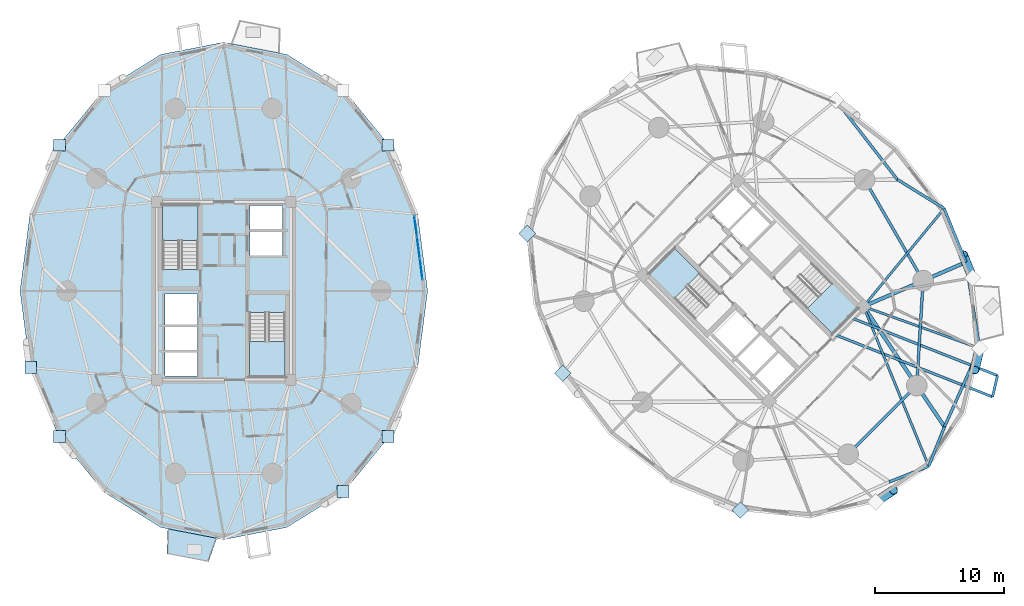
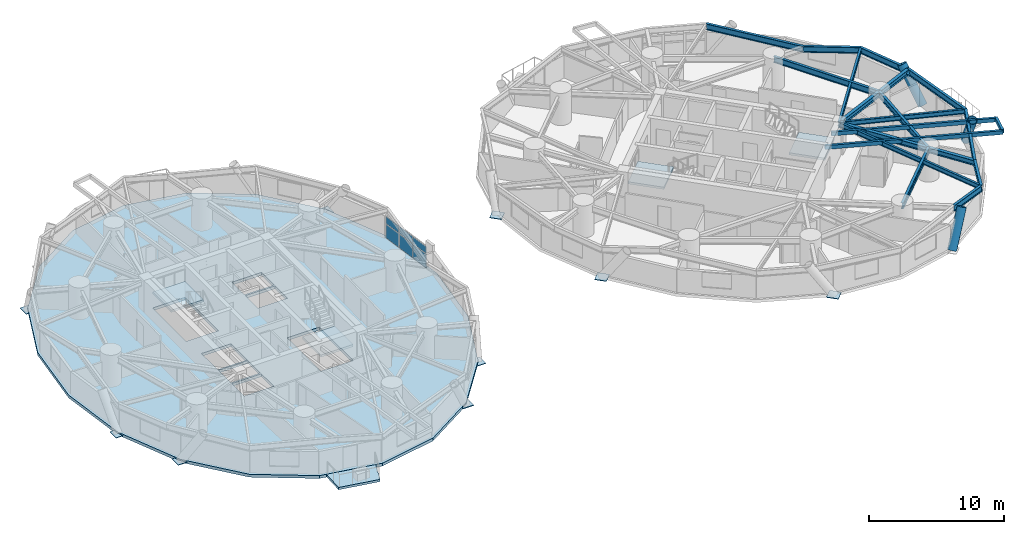
# One storey, part 8 of 19: 18 beams, 15 plates, 6 slabs, 3 members, 5 elements without a shape of their own.
"""IFC4 building model written with IfcOpenShell, lengths in metres."""

from ifc_helpers import new_model, si_unit, direction, frame, origin, origin_2d, place, context, subcontext, project, spatial, polyline, rectangle, hollow_rectangle, hollow_circle, i_section, outline, extrude, source, transform, mapped, material, layer, layer_set, material_profile, profile_set, type_object, element, aggregate, save


model = new_model("IFC4")

# Units and contexts
model_context = context("Model", 3, precision=1e-05, world=origin(), true_north=direction((0.0, 1.0)))
body_context = subcontext(model_context, "Body", "Model", "MODEL_VIEW")
ifc_project = project(units=[si_unit("LENGTHUNIT", "METRE"), si_unit("AREAUNIT", "SQUARE_METRE"), si_unit("VOLUMEUNIT", "CUBIC_METRE"), si_unit("PLANEANGLEUNIT", "RADIAN"), si_unit("MASSUNIT", "GRAM", prefix="KILO")], contexts=[model_context])

# Site, building, storey
site_placement = place(None, origin())
site = spatial("IfcSite", under=ifc_project, at=site_placement, CompositionType="ELEMENT")
building_placement = place(site_placement, origin())
building = spatial("IfcBuilding", under=site, at=building_placement, Name="Cununo Teusaquillo Station Towers", CompositionType="ELEMENT")
storey_placement = place(building_placement, frame((0.0, 0.0, 30.72998046875)))
storey = spatial("IfcBuildingStorey", under=building, at=storey_placement, Name="L08", CompositionType="ELEMENT", Elevation=30.72998046875)

# Beams
ifc_material_1 = material(Name="Steel EN 10025-2 S355J2", Category="steel")
ifc_material_profile_1 = material_profile(ifc_material_1, hollow_rectangle(XDim=0.199951171875, YDim=0.35009765625, WallThickness=0.013916015625, at=origin_2d()), Name="RHS 350x200x14")
ifc_profile_set_1 = profile_set([ifc_material_profile_1], Name="Steel EN 10025-2 S355J2")
beam_type_1 = type_object("IfcBeamType", Name="BM-BAL-CANT", PredefinedType="BEAM", material=ifc_profile_set_1)
beam_1_placement = place(storey_placement, frame((63.5986328125, 21.194091796875, 2.47509765625), z_axis=(0.930244165178, -0.366941130364, 0.0), x_axis=(0.366941130364, 0.930244165178, 0.0)))
element("IfcBeam", 1, at=beam_1_placement, inside=storey, type_object=beam_type_1, Name="L08 Tower B Balcony Cantilever Bracket 2A", PredefinedType="BEAM", context=body_context, shape_type="SweptSolid", body=[
    extrude(hollow_rectangle(XDim=0.199951171875, YDim=0.35009765625, WallThickness=0.013916015625, at=origin_2d()), origin(), (0.0, 0.0, 1.0), 13.342041015625),
])
beam_2_placement = place(storey_placement, frame((64.889892578125, 22.4853515625, 2.47509765625), z_axis=(0.930240000393, -0.366951688467, 0.0), x_axis=(0.366951688467, 0.930240000393, 0.0)))
element("IfcBeam", 2, at=beam_2_placement, inside=storey, type_object=beam_type_1, Name="L08 Tower B Balcony Cantilever Bracket 2B", PredefinedType="BEAM", context=body_context, shape_type="SweptSolid", body=[
    extrude(hollow_rectangle(XDim=0.199951171875, YDim=0.35009765625, WallThickness=0.013916015625, at=origin_2d()), origin(), (0.0, 0.0, 1.0), 12.36767578125),
])
ifc_material_2 = material(Name="Steel ASTM A572 Grade 50", Category="steel")
ifc_material_profile_2 = material_profile(ifc_material_2, i_section(OverallWidth=0.180908203125, OverallDepth=0.4169921875, WebThickness=0.010986328125, FlangeThickness=0.018310546875, FilletRadius=0.012939453125, at=origin_2d()), Name="W16X57")
ifc_profile_set_2 = profile_set([ifc_material_profile_2], Name="Steel ASTM A572 Grade 50")
beam_type_2 = type_object("IfcBeamType", Name="BM-JOIST-1", PredefinedType="JOIST", material=ifc_profile_set_2)
beam_3_placement = place(storey_placement, frame((66.024169921875, 23.29443359375, 2.44140625), z_axis=(0.377815437796, -0.92588092915, 0.0), x_axis=(0.92588092915, 0.377815437796, 0.0)))
element("IfcBeam", 3, at=beam_3_placement, inside=storey, type_object=beam_type_2, Name="L08 Tower B Radial Spandrel Joist V15", PredefinedType="JOIST", context=body_context, shape_type="SweptSolid", body=[
    extrude(i_section(OverallWidth=0.180908203125, OverallDepth=0.4169921875, WebThickness=0.010986328125, FlangeThickness=0.018310546875, FilletRadius=0.012939453125, at=origin_2d()), origin(), (0.0, 0.0, 1.0), 13.353515625),
])
beam_4_placement = place(storey_placement, frame((66.024169921875, 23.29443359375, 2.44140625), z_axis=(0.940761914171, -0.33906787056, 0.0), x_axis=(0.33906787056, 0.940761914171, 0.0)))
element("IfcBeam", 4, at=beam_4_placement, inside=storey, type_object=beam_type_2, Name="L08 Tower B Radial Spandrel Joist V17", PredefinedType="JOIST", context=body_context, shape_type="SweptSolid", body=[
    extrude(i_section(OverallWidth=0.180908203125, OverallDepth=0.4169921875, WebThickness=0.010986328125, FlangeThickness=0.018310546875, FilletRadius=0.012939453125, at=origin_2d()), origin(), (0.0, 0.0, 1.0), 9.552734375),
])
beam_5_placement = place(storey_placement, frame((66.024169921875, 23.29443359375, 2.44140625), z_axis=(0.635389148475, 0.772192093976, 0.0), x_axis=(-0.772192093976, 0.635389148475, 0.0)))
element("IfcBeam", 5, at=beam_5_placement, inside=storey, type_object=beam_type_2, Name="L08 Tower B Radial Spandrel Joist V19", PredefinedType="JOIST", context=body_context, shape_type="SweptSolid", body=[
    extrude(i_section(OverallWidth=0.180908203125, OverallDepth=0.4169921875, WebThickness=0.010986328125, FlangeThickness=0.018310546875, FilletRadius=0.012939453125, at=origin_2d()), origin(), (0.0, 0.0, 1.0), 9.82080078125),
])
ifc_material_3 = material(Name="Steel ASTM A572 Grade 50", Category="steel")
ifc_material_profile_3 = material_profile(ifc_material_3, i_section(OverallWidth=0.280029296875, OverallDepth=0.462890625, WebThickness=0.0107421875, FlangeThickness=0.017333984375, FilletRadius=0.013916015625, at=origin_2d()), Name="W18X76")
ifc_profile_set_3 = profile_set([ifc_material_profile_3], Name="Steel ASTM A572 Grade 50")
beam_type_3 = type_object("IfcBeamType", Name="BM-RAD-G1", PredefinedType="BEAM", material=ifc_profile_set_3)
beam_6_placement = place(storey_placement, frame((66.024169921875, 23.29443359375, 2.41845703125), z_axis=(0.558565249978, -0.829460584667, 0.0), x_axis=(0.829460584667, 0.558565249978, 0.0)))
element("IfcBeam", 6, at=beam_6_placement, inside=storey, type_object=beam_type_3, Name="L08 Tower B Continuous Overhanging Radial Girder 09", PredefinedType="BEAM", context=body_context, shape_type="SweptSolid", body=[
    extrude(i_section(OverallWidth=0.280029296875, OverallDepth=0.462890625, WebThickness=0.0107421875, FlangeThickness=0.017333984375, FilletRadius=0.013916015625, at=origin_2d()), origin(), (0.0, 0.0, 1.0), 11.22119140625),
])
beam_7_placement = place(storey_placement, frame((66.024169921875, 23.29443359375, 2.41845703125), z_axis=(0.91765947108, 0.397367707718, 0.0), x_axis=(-0.397367707718, 0.91765947108, 0.0)))
element("IfcBeam", 7, at=beam_7_placement, inside=storey, type_object=beam_type_3, Name="L08 Tower B Continuous Overhanging Radial Girder 10", PredefinedType="BEAM", context=body_context, shape_type="SweptSolid", body=[
    extrude(i_section(OverallWidth=0.280029296875, OverallDepth=0.462890625, WebThickness=0.0107421875, FlangeThickness=0.017333984375, FilletRadius=0.013916015625, at=origin_2d()), origin(), (0.0, 0.0, 1.0), 8.631591796875),
])
ifc_material_4 = material(Name="Steel ASTM A572 Grade 50", Category="steel")
ifc_material_profile_4 = material_profile(ifc_material_4, i_section(OverallWidth=0.214111328125, OverallDepth=0.549072265625, WebThickness=0.0146484375, FlangeThickness=0.023681640625, FilletRadius=0.014892578125, at=origin_2d()), Name="W21X93")
ifc_profile_set_4 = profile_set([ifc_material_profile_4], Name="Steel ASTM A572 Grade 50")
beam_type_4 = type_object("IfcBeamType", Name="BM-RING-Z1", PredefinedType="SPANDREL", material=ifc_profile_set_4)
beam_8_placement = place(storey_placement, frame((64.826904296875, 11.853759765625, 2.37548828125), z_axis=(0.707106781187, 0.707106781187, 0.0), x_axis=(-0.707106781187, 0.707106781187, 0.0)))
element("IfcBeam", 8, at=beam_8_placement, inside=storey, type_object=beam_type_4, Name="L08 Tower B Structural Column Ring Girder 08", PredefinedType="SPANDREL", context=body_context, shape_type="SweptSolid", body=[
    extrude(i_section(OverallWidth=0.214111328125, OverallDepth=0.549072265625, WebThickness=0.0146484375, FlangeThickness=0.023681640625, FilletRadius=0.014892578125, at=origin_2d()), origin(), (0.0, 0.0, 1.0), 7.522705078125),
])
beam_9_placement = place(storey_placement, frame((70.146240234375, 17.173095703125, 2.37548828125), z_axis=(0.06012979176, 0.998190567048, 0.0), x_axis=(-0.998190567048, 0.06012979176, 0.0)))
element("IfcBeam", 9, at=beam_9_placement, inside=storey, type_object=beam_type_4, Name="L08 Tower B Structural Column Ring Girder 09", PredefinedType="SPANDREL", context=body_context, shape_type="SweptSolid", body=[
    extrude(i_section(OverallWidth=0.214111328125, OverallDepth=0.549072265625, WebThickness=0.0146484375, FlangeThickness=0.023681640625, FilletRadius=0.014892578125, at=origin_2d()), origin(), (0.0, 0.0, 1.0), 8.132568359375),
])
beam_10_placement = place(storey_placement, frame((70.63525390625, 25.291015625, 2.37548828125), z_axis=(-0.501311121078, 0.865267103202, 0.0), x_axis=(-0.865267103202, -0.501311121078, 0.0)))
element("IfcBeam", 10, at=beam_10_placement, inside=storey, type_object=beam_type_4, Name="L08 Tower B Structural Column Ring Girder 10", PredefinedType="SPANDREL", context=body_context, shape_type="SweptSolid", body=[
    extrude(i_section(OverallWidth=0.214111328125, OverallDepth=0.549072265625, WebThickness=0.0146484375, FlangeThickness=0.023681640625, FilletRadius=0.014892578125, at=origin_2d()), origin(), (0.0, 0.0, 1.0), 9.032958984375),
])
beam_11_placement = place(storey_placement, frame((68.635986328125, 33.12841796875, 2.37548828125), z_axis=(-0.612801480015, 0.790236892388, 0.0), x_axis=(-0.790236892388, -0.612801480015, 0.0)))
element("IfcBeam", 11, at=beam_11_placement, inside=storey, type_object=beam_type_4, Name="L08 Tower B Spandrel Ring Beam 01", PredefinedType="SPANDREL", context=body_context, shape_type="SweptSolid", body=[
    extrude(i_section(OverallWidth=0.214111328125, OverallDepth=0.549072265625, WebThickness=0.0146484375, FlangeThickness=0.023681640625, FilletRadius=0.014892578125, at=origin_2d()), origin(), (0.0, 0.0, 1.0), 7.764404296875),
])
for number, where, z_axis, x_axis, name in (
    (12, (68.01318359375, 9.7080078125, 2.37548828125), (0.928456228871, 0.371441827304, 0.0), (-0.371441827304, 0.928456228871, 0.0), "L08 Tower B Spandrel Ring Beam 15"),
    (13, (71.0693359375, 10.9306640625, 2.37548828125), (0.371441827304, 0.928456228871, 0.0), (-0.928456228871, 0.371441827304, 0.0), "L08 Tower B Spandrel Ring Beam 16"),
):
    element("IfcBeam", number, at=place(storey_placement, frame(where, z_axis=z_axis, x_axis=x_axis)), inside=storey, type_object=beam_type_4, Name=name, PredefinedType="SPANDREL", context=body_context, shape_type="SweptSolid", body=[
        extrude(i_section(OverallWidth=0.214111328125, OverallDepth=0.549072265625, WebThickness=0.0146484375, FlangeThickness=0.023681640625, FilletRadius=0.014892578125, at=origin_2d()), origin(), (0.0, 0.0, 1.0), 3.291748046875),
    ])
beam_12_placement = place(storey_placement, frame((72.2919921875, 13.98681640625, 2.37548828125), z_axis=(0.408878798951, 0.912588695836, 0.0), x_axis=(-0.912588695836, 0.408878798951, 0.0)))
element("IfcBeam", 14, at=beam_12_placement, inside=storey, type_object=beam_type_4, Name="L08 Tower B Spandrel Ring Beam 17", PredefinedType="SPANDREL", context=body_context, shape_type="SweptSolid", body=[
    extrude(i_section(OverallWidth=0.214111328125, OverallDepth=0.549072265625, WebThickness=0.0146484375, FlangeThickness=0.023681640625, FilletRadius=0.014892578125, at=origin_2d()), origin(), (0.0, 0.0, 1.0), 6.64990234375),
])
beam_13_placement = place(storey_placement, frame((75.010986328125, 20.055419921875, 2.37548828125), z_axis=(-0.157829770834, 0.987466335344, 0.0), x_axis=(-0.987466335344, -0.157829770834, 0.0)))
element("IfcBeam", 15, at=beam_13_placement, inside=storey, type_object=beam_type_4, Name="L08 Tower B Spandrel Ring Beam 18", PredefinedType="SPANDREL", context=body_context, shape_type="SweptSolid", body=[
    extrude(i_section(OverallWidth=0.214111328125, OverallDepth=0.549072265625, WebThickness=0.0146484375, FlangeThickness=0.023681640625, FilletRadius=0.014892578125, at=origin_2d()), origin(), (0.0, 0.0, 1.0), 6.753662109375),
])
beam_14_placement = place(storey_placement, frame((73.945068359375, 26.724365234375, 2.37548828125), z_axis=(-0.375135909025, 0.926969821386, 0.0), x_axis=(-0.926969821386, -0.375135909025, 0.0)))
element("IfcBeam", 16, at=beam_14_placement, inside=storey, type_object=beam_type_4, Name="L08 Tower B Spandrel Ring Beam 19", PredefinedType="SPANDREL", context=body_context, shape_type="SweptSolid", body=[
    extrude(i_section(OverallWidth=0.214111328125, OverallDepth=0.549072265625, WebThickness=0.0146484375, FlangeThickness=0.023681640625, FilletRadius=0.014892578125, at=origin_2d()), origin(), (0.0, 0.0, 1.0), 4.480712890625),
])
beam_15_placement = place(storey_placement, frame((72.26416015625, 30.8779296875, 2.37548828125), z_axis=(-0.849795627585, 0.527112313779, 0.0), x_axis=(-0.527112313779, -0.849795627585, 0.0)))
element("IfcBeam", 17, at=beam_15_placement, inside=storey, type_object=beam_type_4, Name="L08 Tower B Spandrel Ring Beam 20", PredefinedType="SPANDREL", context=body_context, shape_type="SweptSolid", body=[
    extrude(i_section(OverallWidth=0.214111328125, OverallDepth=0.549072265625, WebThickness=0.0146484375, FlangeThickness=0.023681640625, FilletRadius=0.014892578125, at=origin_2d()), origin(), (0.0, 0.0, 1.0), 4.26953125),
])
ifc_material_5 = material(Name="Steel EN 10025-2 S355J2", Category="steel")
ifc_material_profile_5 = material_profile(ifc_material_5, hollow_rectangle(XDim=0.199951171875, YDim=0.35009765625, WallThickness=0.013916015625, at=origin_2d()), Name="RHS 350x200x14")
ifc_profile_set_5 = profile_set([ifc_material_profile_5], Name="Steel EN 10025-2 S355J2")
beam_type_5 = type_object("IfcBeamType", Name="BM-STAIR-TRIM", PredefinedType="BEAM", material=ifc_profile_set_5)
beam_16_placement = place(storey_placement, frame((76.010009765625, 16.29833984375, 2.52490234375), z_axis=(0.227270643814, 0.973831635582, 0.0), x_axis=(-0.973831635582, 0.227270643814, 0.0)))
element("IfcBeam", 18, at=beam_16_placement, inside=storey, type_object=beam_type_5, Name="L08 Tower B Balcony Edge Trimmer Beam 2", PredefinedType="BEAM", context=body_context, shape_type="SweptSolid", body=[
    extrude(hollow_rectangle(XDim=0.199951171875, YDim=0.35009765625, WallThickness=0.013916015625, at=origin_2d()), origin(), (0.0, 0.0, 1.0), 1.69287109375),
])

# Members
ifc_material_6 = material(Name="Steel EN 10025-2 S355J2", Category="steel")
ifc_material_profile_6 = material_profile(ifc_material_6, hollow_circle(Radius=0.360107421875, WallThickness=0.028076171875, at=origin_2d()), Name="CHS 720x28")
ifc_profile_set_6 = profile_set([ifc_material_profile_6], Name="Steel EN 10025-2 S355J2")
member_type = type_object("IfcMemberType", Name="MBR-DIAG-Z1", PredefinedType="BRACE", material=ifc_profile_set_6)
member_1_placement = place(storey_placement, frame((66.970703125, 8.159912109375, -0.139892578125), z_axis=(0.408468387245, 0.276132221041, 0.870002628229), x_axis=(-0.560052437376, 0.828457160866, 0.0)))
element("IfcMember", 19, at=member_1_placement, inside=storey, type_object=member_type, Name="L08 Tower B Folded-Zigzag Diagrid Tube C14", PredefinedType="BRACE", context=body_context, shape_type="SweptSolid", body=[
    extrude(hollow_circle(Radius=0.360107421875, WallThickness=0.028076171875, at=origin_2d()), origin(), (0.0, 0.0, 1.0), 3.3447265625),
])
member_2_placement = place(storey_placement, frame((75.010986328125, 20.055419921875, -0.139892578125), z_axis=(-0.115486215866, -0.495601259082, 0.860838153163), x_axis=(0.97390816807, -0.226942460033, 0.0)))
element("IfcMember", 20, at=member_2_placement, inside=storey, type_object=member_type, Name="L08 Tower B Folded-Zigzag Diagrid Tube C16", PredefinedType="BRACE", context=body_context, shape_type="SweptSolid", body=[
    extrude(hollow_circle(Radius=0.360107421875, WallThickness=0.028076171875, at=origin_2d()), origin(), (0.0, 0.0, 1.0), 3.38037109375),
])
member_3_placement = place(storey_placement, frame((74.468017578125, 25.516357421875, -0.139892578125), z_axis=(-0.210312111022, 0.51162667088, 0.833070804675), x_axis=(-0.924905593279, -0.380196848385, 0.0)))
element("IfcMember", 21, at=member_3_placement, inside=storey, type_object=member_type, Name="L08 Tower B Folded-Zigzag Diagrid Tube C18", PredefinedType="BRACE", context=body_context, shape_type="SweptSolid", body=[
    extrude(hollow_circle(Radius=0.360107421875, WallThickness=0.028076171875, at=origin_2d()), origin(), (0.0, 0.0, 1.0), 3.492919921875),
])

# Slab
ifc_material_7 = material(Name="Concrete C50/60", Category="concrete")
ifc_layer_1 = layer(ifc_material_7, 0.2099609375)
ifc_layer_set_1 = layer_set([ifc_layer_1], Name="Concrete C50/60")
slab_type_1 = type_object("IfcSlabType", Name="SLB-BAL-210", PredefinedType="FLOOR", material=ifc_layer_set_1)
slab_1_placement = place(storey_placement, frame((0.0, 0.0, -0.2099609375)))
element("IfcSlab", 22, at=slab_1_placement, inside=storey, type_object=slab_type_1, Name="L08 Tower A Tree Balcony Slab 2", PredefinedType="FLOOR", context=body_context, shape_type="SweptSolid", body=[
    extrude(outline(polyline([(12.1630859375, 6.0830078125), (15.958984375, 5.349365234375), (15.30126953125, 3.526123046875), (12.09423828125, 4.145751953125), (12.1630859375, 6.0830078125)])), origin(), (0.0, 0.0, 1.0), 0.2099609375),
])

# Stair, slab
ifc_material_8 = material(Name="Concrete C50/60", Category="concrete")
stair_type = type_object("IfcStairType", Name="ST-TWR-1300", PredefinedType="HALF_TURN_STAIR", material=ifc_material_8)
stair_1_placement = place(storey_placement, origin())
stair_1 = element("IfcStair", 23, at=stair_1_placement, inside=storey, type_object=stair_type, Name="L08 Tower A Protected Core Exit Stair 1", PredefinedType="HALF_TURN_STAIR")
ifc_material_9 = material(Name="Concrete C50/60", Category="concrete")
ifc_layer_2 = layer(ifc_material_9, 0.199951171875)
ifc_layer_set_2 = layer_set([ifc_layer_2], Name="Concrete C50/60")
slab_type_2 = type_object("IfcSlabType", Name="SLB-STAIR-LND", PredefinedType="LANDING", material=ifc_layer_set_2)
slab_2_placement = place(storey_placement, frame((0.0, 0.0, 1.255126953125)))
slab_2 = element("IfcSlab", 24, at=slab_2_placement, type_object=slab_type_2, Name="ST-T1-1 landing 1", PredefinedType="LANDING", context=body_context, shape_type="SweptSolid", body=[
    extrude(outline(polyline([(14.52001953125, 28.409912109375), (14.52001953125, 31.159912109375), (11.760009765625, 31.159912109375), (11.760009765625, 28.409912109375), (14.52001953125, 28.409912109375)])), origin(), (0.0, 0.0, 1.0), 0.199951171875),
])
aggregate(stair_1, [slab_2])

stair_2_placement = place(storey_placement, origin())
stair_2 = element("IfcStair", 25, at=stair_2_placement, inside=storey, type_object=stair_type, Name="L08 Tower A Protected Core Exit Stair 2", PredefinedType="HALF_TURN_STAIR")
slab_3_placement = place(storey_placement, frame((0.0, 0.0, 1.255126953125)))
slab_3 = element("IfcSlab", 26, at=slab_3_placement, type_object=slab_type_2, Name="ST-T1-2 landing 1", PredefinedType="LANDING", context=body_context, shape_type="SweptSolid", body=[
    extrude(outline(polyline([(18.47998046875, 20.590087890625), (18.47998046875, 17.840087890625), (21.239990234375, 17.840087890625), (21.239990234375, 20.590087890625), (18.47998046875, 20.590087890625)])), origin(), (0.0, 0.0, 1.0), 0.199951171875),
])
aggregate(stair_2, [slab_3])

stair_3_placement = place(storey_placement, origin())
stair_3 = element("IfcStair", 27, at=stair_3_placement, inside=storey, type_object=stair_type, Name="L08 Tower B Protected Core Exit Stair 1", PredefinedType="HALF_TURN_STAIR")
slab_4_placement = place(storey_placement, frame((0.0, 0.0, 1.255126953125)))
slab_4 = element("IfcSlab", 28, at=slab_4_placement, type_object=slab_type_2, Name="ST-T2-1 landing 1", PredefinedType="LANDING", context=body_context, shape_type="SweptSolid", body=[
    extrude(outline(polyline([(53.335205078125, 25.86474609375), (51.390625, 27.809326171875), (49.43896484375, 25.857666015625), (51.383544921875, 23.9130859375), (53.335205078125, 25.86474609375)])), origin(), (0.0, 0.0, 1.0), 0.199951171875),
])
aggregate(stair_3, [slab_4])

stair_4_placement = place(storey_placement, origin())
stair_4 = element("IfcStair", 29, at=stair_4_placement, inside=storey, type_object=stair_type, Name="L08 Tower B Protected Core Exit Stair 2", PredefinedType="HALF_TURN_STAIR")
slab_5_placement = place(storey_placement, frame((0.0, 0.0, 1.255126953125)))
slab_5 = element("IfcSlab", 30, at=slab_5_placement, type_object=slab_type_2, Name="ST-T2-2 landing 1", PredefinedType="LANDING", context=body_context, shape_type="SweptSolid", body=[
    extrude(outline(polyline([(61.664794921875, 23.13525390625), (63.609375, 21.190673828125), (65.56103515625, 23.142333984375), (63.616455078125, 25.0869140625), (61.664794921875, 23.13525390625)])), origin(), (0.0, 0.0, 1.0), 0.199951171875),
])
aggregate(stair_4, [slab_5])

# Slab
ifc_material_10 = material(Name="Concrete C50/60", Category="concrete")
ifc_layer_3 = layer(ifc_material_10, 0.260009765625)
ifc_layer_set_3 = layer_set([ifc_layer_3], Name="Concrete C50/60")
slab_type_3 = type_object("IfcSlabType", Name="SLB-Z1-260", PredefinedType="FLOOR", material=ifc_layer_set_3)
slab_6_placement = place(storey_placement, frame((0.0, 0.0, -0.260009765625)))
element("IfcSlab", 31, at=slab_6_placement, inside=storey, type_object=slab_type_3, Name="L08 Tower A Floor Slab", PredefinedType="FLOOR", context=body_context, shape_type="SweptSolid", body=[
    extrude(outline(polyline([(32.279052734375, 24.5), (31.506591796875, 30.448486328125), (29.265380859375, 35.81494140625), (25.774658203125, 40.073486328125), (21.3759765625, 42.807861328125), (16.5, 43.75), (11.6240234375, 42.807861328125), (7.225341796875, 40.073486328125), (3.734619140625, 35.81494140625), (1.493408203125, 30.448486328125), (0.720947265625, 24.5), (1.493408203125, 18.551513671875), (3.734619140625, 13.18505859375), (7.225341796875, 8.926513671875), (11.6240234375, 6.192138671875), (16.5, 5.25), (21.3759765625, 6.192138671875), (25.774658203125, 8.926513671875), (29.265380859375, 13.18505859375), (31.506591796875, 18.551513671875), (32.279052734375, 24.5)]), holes=[polyline([(14.52001953125, 26.176025390625), (14.52001953125, 31.159912109375), (11.760009765625, 31.159912109375), (11.760009765625, 26.176025390625), (14.52001953125, 26.176025390625)]), polyline([(18.47998046875, 22.823974609375), (18.47998046875, 17.840087890625), (21.239990234375, 17.840087890625), (21.239990234375, 22.823974609375), (18.47998046875, 22.823974609375)]), polyline([(11.949951171875, 21.85009765625), (14.47998046875, 21.85009765625), (14.47998046875, 24.25), (11.949951171875, 24.25), (11.949951171875, 21.85009765625)]), polyline([(11.949951171875, 17.89990234375), (14.47998046875, 17.89990234375), (14.47998046875, 19.75), (11.949951171875, 19.75), (11.949951171875, 17.89990234375)]), polyline([(11.949951171875, 19.89990234375), (14.47998046875, 19.89990234375), (14.47998046875, 21.75), (11.949951171875, 21.75), (11.949951171875, 19.89990234375)]), polyline([(18.52001953125, 27.25), (21.050048828125, 27.25), (21.050048828125, 29.10009765625), (18.52001953125, 29.10009765625), (18.52001953125, 27.25)]), polyline([(18.52001953125, 29.25), (21.050048828125, 29.25), (21.050048828125, 31.10009765625), (18.52001953125, 31.10009765625), (18.52001953125, 29.25)])]), origin(), (0.0, 0.0, 1.0), 0.260009765625),
])

# Plates
ifc_material_11 = material(Name="Steel ASTM A572 Grade 50", Category="steel")
ifc_layer_4 = layer(ifc_material_11, 0.050048828125)
ifc_layer_set_4 = layer_set([ifc_layer_4], Name="Steel ASTM A572 Grade 50")
plate_type_1 = type_object("IfcPlateType", Name="PLT-NODE-DN1", PredefinedType="USERDEFINED", material=ifc_layer_set_4)
shared_shape_1 = source(origin(), body_context, "Body", "SweptSolid", [
    extrude(rectangle(XDim=0.919921875, YDim=0.919921875, at=origin_2d()), origin(), (0.0, 0.0, 1.0), 0.050048828125),
])
for number, where, z_axis, x_axis, name in (
    (32, (29.216796875, 35.779541015625, -0.1650390625), (0.0, 0.0, 1.0), (1.0, 0.0, 0.0), "L08 Tower A Diagrid Node Assembly C01"),
    (33, (3.783203125, 35.779541015625, -0.1650390625), (0.0, 0.0, 1.0), (1.0, 0.0, 0.0), "L08 Tower A Diagrid Node Assembly C08"),
    (34, (1.55029296875, 18.570068359375, -0.1650390625), (0.0, 0.0, 1.0), (1.0, 0.0, 0.0), "L08 Tower A Diagrid Node Assembly C10"),
    (35, (3.783203125, 13.220458984375, -0.1650390625), (0.0, 0.0, 1.0), (1.0, 0.0, 0.0), "L08 Tower A Diagrid Node Assembly C12"),
    (36, (25.739501953125, 8.97509765625, -0.1650390625), (0.0, 0.0, 1.0), (1.0, 0.0, 0.0), "L08 Tower A Diagrid Node Assembly C16"),
    (37, (29.216796875, 13.220458984375, -0.1650390625), (0.0, 0.0, 1.0), (1.0, 0.0, 0.0), "L08 Tower A Diagrid Node Assembly C18"),
    (38, (39.989013671875, 28.944580078125, -0.1650390625), (0.0, 0.0, 1.0), (0.707106781187, 0.707106781187, 0.0), "L08 Tower B Diagrid Node Assembly C06"),
    (39, (42.73583984375, 18.1220703125, -0.1650390625), (0.0, 0.0, 1.0), (0.707106781187, 0.707106781187, 0.0), "L08 Tower B Diagrid Node Assembly C09"),
    (40, (56.483642578125, 7.531982421875, -0.1650390625), (0.0, 0.0, 1.0), (0.707106781187, 0.707106781187, 0.0), "L08 Tower B Diagrid Node Assembly C11"),
):
    element("IfcPlate", number, at=place(storey_placement, frame(where, z_axis=z_axis, x_axis=x_axis)), inside=storey, type_object=plate_type_1, Name=name, ObjectType="GUSSET PLATE", PredefinedType="USERDEFINED", context=body_context, shape_type="MappedRepresentation", body=[
        mapped(shared_shape_1, transform((0.0, 0.0, 0.0), x_axis=(1.0, 0.0, 0.0), y_axis=(0.0, 1.0, 0.0), z_axis=(0.0, 0.0, 1.0), scale=1.0)),
    ])

# Curtain wall, plates
ifc_material_12 = material(Name="Ceramic-fritted dark low-E double glazing", Category="glass")
ifc_layer_5 = layer(ifc_material_12, 0.179931640625)
ifc_layer_set_5 = layer_set([ifc_layer_5], Name="Ceramic-fritted dark low-E double glazing")
curtain_wall_type = type_object("IfcCurtainWallType", Name="CW-SYS-02", PredefinedType="USERDEFINED", material=ifc_layer_set_5)
curtain_wall_placement = place(storey_placement, origin())
curtain_wall = element("IfcCurtainWall", 41, at=curtain_wall_placement, inside=storey, type_object=curtain_wall_type, Name="L08 Tower A Facade Curtain Wall C00", ObjectType="FRITTED GLAZING", PredefinedType="USERDEFINED")
ifc_material_13 = material(Name="Ceramic-fritted dark low-E double glazing", Category="glass")
ifc_layer_6 = layer(ifc_material_13, 0.028076171875)
ifc_layer_set_6 = layer_set([ifc_layer_6], Name="Ceramic-fritted dark low-E double glazing")
plate_type_2 = type_object("IfcPlateType", Name="CWP-FRIT-28", PredefinedType="CURTAIN_PANEL", material=ifc_layer_set_6)
shared_shape_2 = source(origin(), body_context, "Body", "SweptSolid", [
    extrude(rectangle(XDim=1.58203125, YDim=0.028076171875, at=origin_2d()), origin(), (0.0, 0.0, 1.0), 1.241943359375),
])
plate_1_placement = place(storey_placement, frame((31.350830078125, 29.50830078125, 0.06982421875), z_axis=(0.0, 0.0, 1.0), x_axis=(0.128335588771, -0.991730798481, 0.0)))
plate_1 = element("IfcPlate", 42, at=plate_1_placement, type_object=plate_type_2, Name="CW-02 panel 1.1", PredefinedType="CURTAIN_PANEL", context=body_context, shape_type="MappedRepresentation", body=[
    mapped(shared_shape_2, transform((0.0, 0.0, 0.0), x_axis=(1.0, 0.0, 0.0), y_axis=(0.0, 1.0, 0.0), z_axis=(0.0, 0.0, 1.0), scale=1.0)),
])
plate_2_placement = place(storey_placement, frame((31.779296875, 26.19677734375, 0.06982421875), z_axis=(0.0, 0.0, 1.0), x_axis=(0.128335588771, -0.991730798481, 0.0)))
plate_2 = element("IfcPlate", 43, at=plate_2_placement, type_object=plate_type_2, Name="CW-02 panel 3.1", PredefinedType="CURTAIN_PANEL", context=body_context, shape_type="MappedRepresentation", body=[
    mapped(shared_shape_2, transform((0.0, 0.0, 0.0), x_axis=(1.0, 0.0, 0.0), y_axis=(0.0, 1.0, 0.0), z_axis=(0.0, 0.0, 1.0), scale=1.0)),
])
shared_shape_3 = source(origin(), body_context, "Body", "SweptSolid", [
    extrude(rectangle(XDim=1.58203125, YDim=0.028076171875, at=origin_2d()), origin(), (0.0, 0.0, 1.0), 0.62109375),
])
plate_3_placement = place(storey_placement, frame((31.350830078125, 29.50830078125, 1.382080078125), z_axis=(0.0, 0.0, 1.0), x_axis=(0.128335588771, -0.991730798481, 0.0)))
plate_3 = element("IfcPlate", 44, at=plate_3_placement, type_object=plate_type_2, Name="CW-02 panel 1.2", PredefinedType="CURTAIN_PANEL", context=body_context, shape_type="MappedRepresentation", body=[
    mapped(shared_shape_3, transform((0.0, 0.0, 0.0), x_axis=(1.0, 0.0, 0.0), y_axis=(0.0, 1.0, 0.0), z_axis=(0.0, 0.0, 1.0), scale=1.0)),
])
plate_4_placement = place(storey_placement, frame((31.779296875, 26.19677734375, 1.382080078125), z_axis=(0.0, 0.0, 1.0), x_axis=(0.128335588771, -0.991730798481, 0.0)))
plate_4 = element("IfcPlate", 45, at=plate_4_placement, type_object=plate_type_2, Name="CW-02 panel 3.2", PredefinedType="CURTAIN_PANEL", context=body_context, shape_type="MappedRepresentation", body=[
    mapped(shared_shape_3, transform((0.0, 0.0, 0.0), x_axis=(1.0, 0.0, 0.0), y_axis=(0.0, 1.0, 0.0), z_axis=(0.0, 0.0, 1.0), scale=1.0)),
])
shared_shape_4 = source(origin(), body_context, "Body", "SweptSolid", [
    extrude(rectangle(XDim=1.616943359375, YDim=0.028076171875, at=origin_2d()), origin(), (0.0, 0.0, 1.0), 1.241943359375),
])
plate_5_placement = place(storey_placement, frame((31.565185546875, 27.8525390625, 0.06982421875), z_axis=(0.0, 0.0, 1.0), x_axis=(0.128335588771, -0.991730798481, 0.0)))
plate_5 = element("IfcPlate", 46, at=plate_5_placement, type_object=plate_type_2, Name="CW-02 panel 2.1", PredefinedType="CURTAIN_PANEL", context=body_context, shape_type="MappedRepresentation", body=[
    mapped(shared_shape_4, transform((0.0, 0.0, 0.0), x_axis=(1.0, 0.0, 0.0), y_axis=(0.0, 1.0, 0.0), z_axis=(0.0, 0.0, 1.0), scale=1.0)),
])
shared_shape_5 = source(origin(), body_context, "Body", "SweptSolid", [
    extrude(rectangle(XDim=1.616943359375, YDim=0.028076171875, at=origin_2d()), origin(), (0.0, 0.0, 1.0), 0.62109375),
])
plate_6_placement = place(storey_placement, frame((31.565185546875, 27.8525390625, 1.382080078125), z_axis=(0.0, 0.0, 1.0), x_axis=(0.128335588771, -0.991730798481, 0.0)))
plate_6 = element("IfcPlate", 47, at=plate_6_placement, type_object=plate_type_2, Name="CW-02 panel 2.2", PredefinedType="CURTAIN_PANEL", context=body_context, shape_type="MappedRepresentation", body=[
    mapped(shared_shape_5, transform((0.0, 0.0, 0.0), x_axis=(1.0, 0.0, 0.0), y_axis=(0.0, 1.0, 0.0), z_axis=(0.0, 0.0, 1.0), scale=1.0)),
])
aggregate(curtain_wall, [plate_1, plate_3, plate_5, plate_6, plate_2, plate_4])

save(model, "model.ifc")
